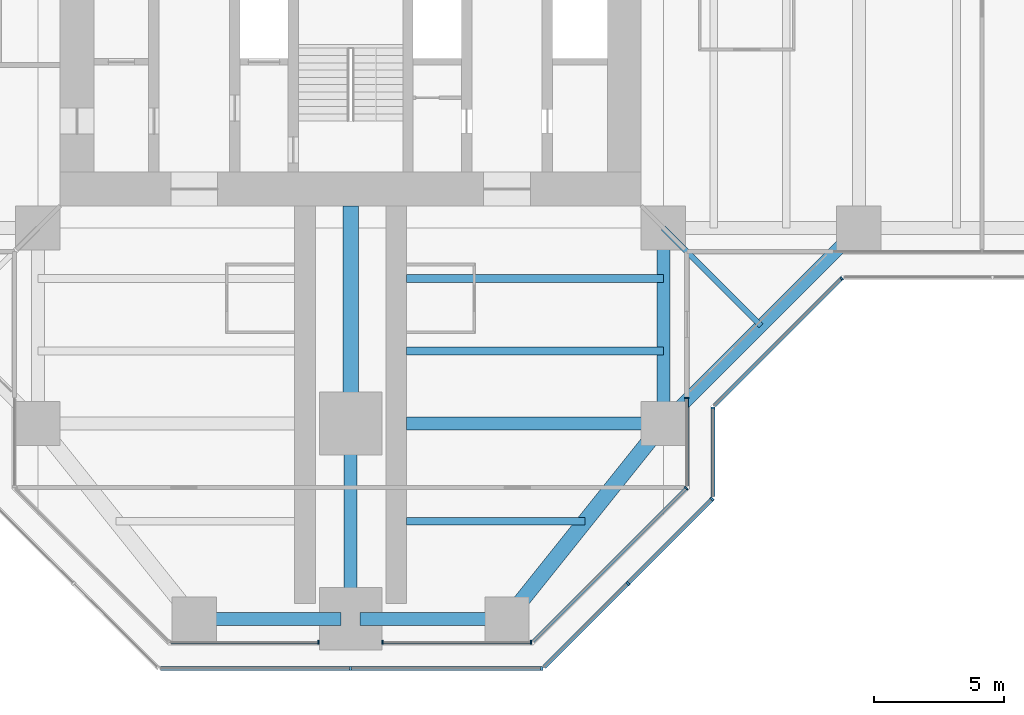
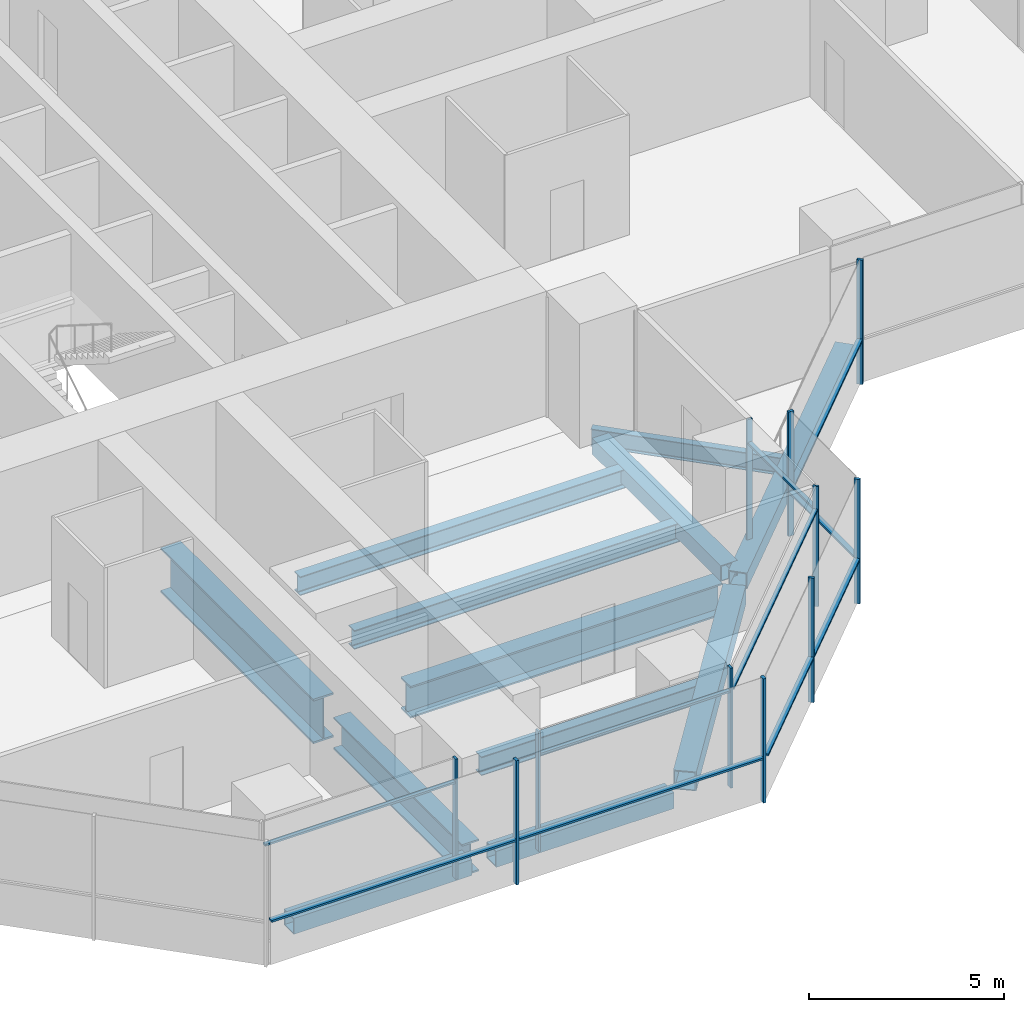
# One storey, part 4 of 20: 21 members, 12 beams, 8 elements without a shape of their own.
"""IFC4 building model written with IfcOpenShell, lengths in metres."""

from ifc_helpers import new_model, si_unit, direction, frame, origin, origin_2d, place, context, subcontext, project, spatial, rectangle, hollow_rectangle, i_section, extrude, material, material_profile, profile_set, type_object, element, aggregate, save


model = new_model("IFC4")

# Units and contexts
model_context = context("Model", 3, precision=1e-05, world=origin(), true_north=direction((0.0, 1.0)))
body_context = subcontext(model_context, "Body", "Model", "MODEL_VIEW")
ifc_project = project(units=[si_unit("LENGTHUNIT", "METRE"), si_unit("AREAUNIT", "SQUARE_METRE"), si_unit("VOLUMEUNIT", "CUBIC_METRE"), si_unit("PLANEANGLEUNIT", "RADIAN"), si_unit("MASSUNIT", "GRAM", prefix="KILO")], contexts=[model_context])

# Site, building, storey
site_placement = place(None, origin())
site = spatial("IfcSite", under=ifc_project, at=site_placement, CompositionType="ELEMENT")
building_placement = place(site_placement, origin())
building = spatial("IfcBuilding", under=site, at=building_placement, Name="Mizan Broadcast Tower", CompositionType="ELEMENT")
storey_placement = place(building_placement, frame((0.0, 0.0, 190.5)))
storey = spatial("IfcBuildingStorey", under=building, at=storey_placement, Name="L44", CompositionType="ELEMENT", Elevation=190.5)

# Beams
ifc_material_1 = material(Name="Steel S355", Category="steel")
ifc_material_profile_1 = material_profile(ifc_material_1, hollow_rectangle(XDim=0.5, YDim=0.5, WallThickness=0.030029296875, at=origin_2d()), Name="BOX 500x500x30")
ifc_profile_set_1 = profile_set([ifc_material_profile_1], Name="Steel S355")
beam_type_1 = type_object("IfcBeamType", Name="EDGE BEAM BOX 500x500x30", PredefinedType="SPANDREL", material=ifc_profile_set_1)
beam_1_placement = place(storey_placement, frame((-5.639892578125, -27.0, -0.3798828125), z_axis=(1.0, 0.0, 0.0), x_axis=(0.0, 1.0, 0.0)))
element("IfcBeam", 1, at=beam_1_placement, inside=storey, type_object=beam_type_1, Name="Edge beam BOX 500x500x30 L44 south arm", PredefinedType="SPANDREL", context=body_context, shape_type="SweptSolid", body=[
    extrude(hollow_rectangle(XDim=0.5, YDim=0.5, WallThickness=0.030029296875, at=origin_2d()), origin(), (0.0, 0.0, 1.0), 5.27978515625),
])
beam_2_placement = place(storey_placement, frame((12.0, -12.449951171875, -0.3798828125), z_axis=(0.0, -1.0, 0.0), x_axis=(1.0, 0.0, 0.0)))
element("IfcBeam", 2, at=beam_2_placement, inside=storey, type_object=beam_type_1, Name="Edge beam BOX 500x500x30 L44 south arm", PredefinedType="SPANDREL", context=body_context, shape_type="SweptSolid", body=[
    extrude(hollow_rectangle(XDim=0.5, YDim=0.5, WallThickness=0.030029296875, at=origin_2d()), origin(), (0.0, 0.0, 1.0), 6.60009765625),
])
beam_3_placement = place(storey_placement, frame((5.639892578125, -27.0, -0.3798828125), z_axis=(-1.0, 0.0, 0.0), x_axis=(0.0, -1.0, 0.0)))
element("IfcBeam", 3, at=beam_3_placement, inside=storey, type_object=beam_type_1, Name="Edge beam BOX 500x500x30 L44 south arm", PredefinedType="SPANDREL", context=body_context, shape_type="SweptSolid", body=[
    extrude(hollow_rectangle(XDim=0.5, YDim=0.5, WallThickness=0.030029296875, at=origin_2d()), origin(), (0.0, 0.0, 1.0), 5.27978515625),
])
beam_4_placement = place(storey_placement, frame((12.0, -19.5, -0.3798828125), z_axis=(0.707106781187, 0.707106781187, 0.0), x_axis=(-0.707106781187, 0.707106781187, 0.0)))
element("IfcBeam", 4, at=beam_4_placement, inside=storey, type_object=beam_type_1, Name="Winter garden edge beam L44 S", PredefinedType="SPANDREL", context=body_context, shape_type="SweptSolid", body=[
    extrude(hollow_rectangle(XDim=0.5, YDim=0.5, WallThickness=0.030029296875, at=origin_2d()), origin(), (0.0, 0.0, 1.0), 10.606689453125),
])
ifc_material_2 = material(Name="Steel S355", Category="steel")
ifc_material_profile_2 = material_profile(ifc_material_2, hollow_rectangle(XDim=0.60009765625, YDim=0.60009765625, WallThickness=0.030029296875, at=origin_2d()), Name="BOX 600x600x30")
ifc_profile_set_2 = profile_set([ifc_material_profile_2], Name="Steel S355")
beam_type_2 = type_object("IfcBeamType", Name="EDGE BEAM BOX 600x600x30", PredefinedType="SPANDREL", material=ifc_profile_set_2)
beam_5_placement = place(storey_placement, frame((11.639892578125, -19.949951171875, -0.429931640625), z_axis=(-0.624673911726, -0.780885717636, 0.0), x_axis=(0.780885717636, -0.624673911726, 0.0)))
element("IfcBeam", 5, at=beam_5_placement, inside=storey, type_object=beam_type_2, Name="Edge beam BOX 600x600x30 L44 south arm", PredefinedType="SPANDREL", context=body_context, shape_type="SweptSolid", body=[
    extrude(hollow_rectangle(XDim=0.60009765625, YDim=0.60009765625, WallThickness=0.030029296875, at=origin_2d()), origin(), (0.0, 0.0, 1.0), 8.4521484375),
])
ifc_material_3 = material(Name="Steel S460", Category="steel")
ifc_material_profile_3 = material_profile(ifc_material_3, i_section(OverallWidth=0.5, OverallDepth=1.0, WebThickness=0.02490234375, FlangeThickness=0.050048828125, at=origin_2d()), Name="WPG 1000x500")
ifc_profile_set_3 = profile_set([ifc_material_profile_3], Name="Steel S460")
beam_type_3 = type_object("IfcBeamType", Name="GIRDER WPG 1000x500", PredefinedType="BEAM", material=ifc_profile_set_3)
beam_6_placement = place(storey_placement, frame((0.0, -19.949951171875, -0.6298828125), z_axis=(0.0, -1.0, 0.0), x_axis=(1.0, 0.0, 0.0)))
element("IfcBeam", 6, at=beam_6_placement, inside=storey, type_object=beam_type_3, Name="Girder WPG 1000x500 L44 south arm", PredefinedType="BEAM", context=body_context, shape_type="SweptSolid", body=[
    extrude(i_section(OverallWidth=0.5, OverallDepth=1.0, WebThickness=0.02490234375, FlangeThickness=0.050048828125, at=origin_2d()), origin(), (0.0, 0.0, 1.0), 6.60009765625),
])
beam_7_placement = place(storey_placement, frame((11.408935546875, -19.5, -0.6298828125), z_axis=(-1.0, 0.0, 0.0), x_axis=(0.0, -1.0, 0.0)))
element("IfcBeam", 7, at=beam_7_placement, inside=storey, type_object=beam_type_3, Name="Girder WPG 1000x500 L44 south arm", PredefinedType="BEAM", context=body_context, shape_type="SweptSolid", body=[
    extrude(i_section(OverallWidth=0.5, OverallDepth=1.0, WebThickness=0.02490234375, FlangeThickness=0.050048828125, at=origin_2d()), origin(), (0.0, 0.0, 1.0), 9.259033203125),
])
ifc_material_4 = material(Name="Steel S460", Category="steel")
ifc_material_profile_4 = material_profile(ifc_material_4, i_section(OverallWidth=0.60009765625, OverallDepth=1.39990234375, WebThickness=0.02490234375, FlangeThickness=0.06005859375, at=origin_2d()), Name="WPG 1400x600")
ifc_profile_set_4 = profile_set([ifc_material_profile_4], Name="Steel S460")
beam_type_4 = type_object("IfcBeamType", Name="GIRDER WPG 1400x600", PredefinedType="BEAM", material=ifc_profile_set_4)
beam_8_placement = place(storey_placement, frame((0.0, -11.14990234375, -0.830078125), z_axis=(0.0, -1.0, 0.0), x_axis=(1.0, 0.0, 0.0)))
element("IfcBeam", 8, at=beam_8_placement, inside=storey, type_object=beam_type_4, Name="Girder WPG 1400x600 L44 south arm", PredefinedType="BEAM", context=body_context, shape_type="SweptSolid", body=[
    extrude(i_section(OverallWidth=0.60009765625, OverallDepth=1.39990234375, WebThickness=0.02490234375, FlangeThickness=0.06005859375, at=origin_2d()), origin(), (0.0, 0.0, 1.0), 7.84912109375),
])

# Curtain wall, member
ifc_material_5 = material(Name="Aluminium framed glazing", Category="aluminium")
curtain_wall_type_1 = type_object("IfcCurtainWallType", Name="INNER SKIN MID ZONE", PredefinedType="USERDEFINED", material=ifc_material_5)
curtain_wall_1_placement = place(storey_placement, origin())
curtain_wall_1 = element("IfcCurtainWall", 9, at=curtain_wall_1_placement, inside=storey, type_object=curtain_wall_type_1, Name="Inner skin mid zone L44 S end", ObjectType="INNER SKIN MID ZONE", PredefinedType="USERDEFINED")
ifc_material_6 = material(Name="Aluminium, pale anodised", Category="aluminium")
ifc_material_profile_5 = material_profile(ifc_material_6, rectangle(XDim=0.159912109375, YDim=0.06005859375, at=origin_2d()), Name="MULLION 160x60")
ifc_profile_set_5 = profile_set([ifc_material_profile_5], Name="Aluminium, pale anodised")
member_type_1 = type_object("IfcMemberType", Name="INNER SKIN MULLION 60x160", PredefinedType="MULLION", material=ifc_profile_set_5)
member_1_placement = place(storey_placement, frame((-1.22998046875, -27.89990234375, 0.0), z_axis=(0.0, 0.0, 1.0), x_axis=(0.0, 1.0, 0.0)))
member_1 = element("IfcMember", 10, at=member_1_placement, type_object=member_type_1, Name="Inner skin mid zone L44 S end mullion 2", PredefinedType="MULLION", context=body_context, shape_type="SweptSolid", body=[
    extrude(rectangle(XDim=0.159912109375, YDim=0.06005859375, at=origin_2d()), origin(), (0.0, 0.0, 1.0), 3.77001953125),
])

# Curtain wall, members
curtain_wall_2_placement = place(storey_placement, origin())
curtain_wall_2 = element("IfcCurtainWall", 11, at=curtain_wall_2_placement, inside=storey, type_object=curtain_wall_type_1, Name="Inner skin mid zone L44 S end", ObjectType="INNER SKIN MID ZONE", PredefinedType="USERDEFINED")
member_2_placement = place(storey_placement, frame((1.22998046875, -27.89990234375, 0.0), z_axis=(0.0, 0.0, 1.0), x_axis=(0.0, 1.0, 0.0)))
member_2 = element("IfcMember", 12, at=member_2_placement, type_object=member_type_1, Name="Inner skin mid zone L44 S end mullion 1", PredefinedType="MULLION", context=body_context, shape_type="SweptSolid", body=[
    extrude(rectangle(XDim=0.159912109375, YDim=0.06005859375, at=origin_2d()), origin(), (0.0, 0.0, 1.0), 3.77001953125),
])
member_3_placement = place(storey_placement, frame((6.928466796875, -27.89990234375, 0.0), z_axis=(0.0, 0.0, 1.0), x_axis=(0.0, 1.0, 0.0)))
member_3 = element("IfcMember", 13, at=member_3_placement, type_object=member_type_1, Name="Inner skin mid zone L44 S end mullion 2", PredefinedType="MULLION", context=body_context, shape_type="SweptSolid", body=[
    extrude(rectangle(XDim=0.159912109375, YDim=0.06005859375, at=origin_2d()), origin(), (0.0, 0.0, 1.0), 3.77001953125),
])

# Curtain wall, member
curtain_wall_3_placement = place(storey_placement, origin())
curtain_wall_3 = element("IfcCurtainWall", 14, at=curtain_wall_3_placement, inside=storey, type_object=curtain_wall_type_1, Name="Inner skin mid zone L44 S chamfer", ObjectType="INNER SKIN MID ZONE", PredefinedType="USERDEFINED")
member_4_placement = place(storey_placement, frame((12.87890625, -21.979736328125, 0.0), z_axis=(0.0, 0.0, 1.0), x_axis=(-0.707106781187, 0.707106781187, 0.0)))
member_4 = element("IfcMember", 15, at=member_4_placement, type_object=member_type_1, Name="Inner skin mid zone L44 S chamfer mullion 2", PredefinedType="MULLION", context=body_context, shape_type="SweptSolid", body=[
    extrude(rectangle(XDim=0.159912109375, YDim=0.06005859375, at=origin_2d()), origin(), (0.0, 0.0, 1.0), 3.77001953125),
])

curtain_wall_4_placement = place(storey_placement, origin())
curtain_wall_4 = element("IfcCurtainWall", 16, at=curtain_wall_4_placement, inside=storey, type_object=curtain_wall_type_1, Name="Inner skin mid zone L44 S side", ObjectType="INNER SKIN MID ZONE", PredefinedType="USERDEFINED")
member_5_placement = place(storey_placement, frame((12.89990234375, -18.530029296875, 0.0), z_axis=(0.0, 0.0, 1.0), x_axis=(-1.0, 0.0, 0.0)))
member_5 = element("IfcMember", 17, at=member_5_placement, type_object=member_type_1, Name="Inner skin mid zone L44 S side mullion 2", PredefinedType="MULLION", context=body_context, shape_type="SweptSolid", body=[
    extrude(rectangle(XDim=0.159912109375, YDim=0.06005859375, at=origin_2d()), origin(), (0.0, 0.0, 1.0), 3.77001953125),
])

# Member
ifc_material_7 = material(Name="Aluminium, pale anodised", Category="aluminium")
ifc_material_profile_6 = material_profile(ifc_material_7, rectangle(XDim=0.1201171875, YDim=0.06005859375, at=origin_2d()), Name="TRANSOM 120x60")
ifc_profile_set_6 = profile_set([ifc_material_profile_6], Name="Aluminium, pale anodised")
member_type_2 = type_object("IfcMemberType", Name="INNER SKIN TRANSOM 60x120", PredefinedType="USERDEFINED", material=ifc_profile_set_6)
member_6_placement = place(storey_placement, frame((-6.898681640625, -27.89990234375, 3.030029296875), z_axis=(1.0, 0.0, 0.0), x_axis=(0.0, 1.0, 0.0)))
member_6 = element("IfcMember", 18, at=member_6_placement, type_object=member_type_2, Name="Inner skin mid zone L44 S end transom 1.1", ObjectType="TRANSOM", PredefinedType="USERDEFINED", context=body_context, shape_type="SweptSolid", body=[
    extrude(rectangle(XDim=0.1201171875, YDim=0.06005859375, at=origin_2d()), origin(), (0.0, 0.0, 1.0), 5.638671875),
])

aggregate(curtain_wall_1, [member_1, member_6])

member_7_placement = place(storey_placement, frame((1.260009765625, -27.89990234375, 3.030029296875), z_axis=(1.0, 0.0, 0.0), x_axis=(0.0, 1.0, 0.0)))
member_7 = element("IfcMember", 19, at=member_7_placement, type_object=member_type_2, Name="Inner skin mid zone L44 S end transom 1.1", ObjectType="TRANSOM", PredefinedType="USERDEFINED", context=body_context, shape_type="SweptSolid", body=[
    extrude(rectangle(XDim=0.1201171875, YDim=0.06005859375, at=origin_2d()), origin(), (0.0, 0.0, 1.0), 5.638671875),
])

aggregate(curtain_wall_2, [member_2, member_3, member_7])

member_8_placement = place(storey_placement, frame((7.0009765625, -27.857666015625, 3.030029296875), z_axis=(0.707106781187, 0.707106781187, 0.0), x_axis=(-0.707106781187, 0.707106781187, 0.0)))
member_8 = element("IfcMember", 20, at=member_8_placement, type_object=member_type_2, Name="Inner skin mid zone L44 S chamfer transom 1.1", ObjectType="TRANSOM", PredefinedType="USERDEFINED", context=body_context, shape_type="SweptSolid", body=[
    extrude(rectangle(XDim=0.1201171875, YDim=0.06005859375, at=origin_2d()), origin(), (0.0, 0.0, 1.0), 8.28271484375),
])

aggregate(curtain_wall_3, [member_4, member_8])

member_9_placement = place(storey_placement, frame((12.89990234375, -21.898681640625, 3.030029296875), z_axis=(0.0, 1.0, 0.0), x_axis=(-1.0, 0.0, 0.0)))
member_9 = element("IfcMember", 21, at=member_9_placement, type_object=member_type_2, Name="Inner skin mid zone L44 S side transom 1.1", ObjectType="TRANSOM", PredefinedType="USERDEFINED", context=body_context, shape_type="SweptSolid", body=[
    extrude(rectangle(XDim=0.1201171875, YDim=0.06005859375, at=origin_2d()), origin(), (0.0, 0.0, 1.0), 3.338623046875),
])

aggregate(curtain_wall_4, [member_5, member_9])

# Curtain wall, members
ifc_material_8 = material(Name="Aluminium framed glazing", Category="aluminium")
curtain_wall_type_2 = type_object("IfcCurtainWallType", Name="OUTER SKIN", PredefinedType="USERDEFINED", material=ifc_material_8)
curtain_wall_5_placement = place(storey_placement, origin())
curtain_wall_5 = element("IfcCurtainWall", 22, at=curtain_wall_5_placement, inside=storey, type_object=curtain_wall_type_2, Name="Outer skin L44 S end", ObjectType="OUTER SKIN", PredefinedType="USERDEFINED")
ifc_material_9 = material(Name="Aluminium, pale anodised", Category="aluminium")
ifc_material_profile_7 = material_profile(ifc_material_9, rectangle(XDim=0.159912109375, YDim=0.080078125, at=origin_2d()), Name="MULLION 160x80")
ifc_profile_set_7 = profile_set([ifc_material_profile_7], Name="Aluminium, pale anodised")
member_type_3 = type_object("IfcMemberType", Name="OUTER SKIN MULLION 80x160", PredefinedType="MULLION", material=ifc_profile_set_7)
member_10_placement = place(storey_placement, frame((0.0, -28.89990234375, 0.0), z_axis=(0.0, 0.0, 1.0), x_axis=(0.0, 1.0, 0.0)))
member_10 = element("IfcMember", 23, at=member_10_placement, type_object=member_type_3, Name="Outer skin L44 S end mullion 2", PredefinedType="MULLION", context=body_context, shape_type="SweptSolid", body=[
    extrude(rectangle(XDim=0.159912109375, YDim=0.080078125, at=origin_2d()), origin(), (0.0, 0.0, 1.0), 3.89990234375),
])
member_11_placement = place(storey_placement, frame((7.332763671875, -28.89990234375, 0.0), z_axis=(0.0, 0.0, 1.0), x_axis=(0.0, 1.0, 0.0)))
member_11 = element("IfcMember", 24, at=member_11_placement, type_object=member_type_3, Name="Outer skin L44 S end mullion 3", PredefinedType="MULLION", context=body_context, shape_type="SweptSolid", body=[
    extrude(rectangle(XDim=0.159912109375, YDim=0.080078125, at=origin_2d()), origin(), (0.0, 0.0, 1.0), 3.89990234375),
])

curtain_wall_6_placement = place(storey_placement, origin())
curtain_wall_6 = element("IfcCurtainWall", 25, at=curtain_wall_6_placement, inside=storey, type_object=curtain_wall_type_2, Name="Outer skin L44 S chamfer", ObjectType="OUTER SKIN", PredefinedType="USERDEFINED")
member_12_placement = place(storey_placement, frame((10.636474609375, -25.636474609375, 0.0), z_axis=(0.0, 0.0, 1.0), x_axis=(-0.707106781187, 0.707106781187, 0.0)))
member_12 = element("IfcMember", 26, at=member_12_placement, type_object=member_type_3, Name="Outer skin L44 S chamfer mullion 2", PredefinedType="MULLION", context=body_context, shape_type="SweptSolid", body=[
    extrude(rectangle(XDim=0.159912109375, YDim=0.080078125, at=origin_2d()), origin(), (0.0, 0.0, 1.0), 3.89990234375),
])
member_13_placement = place(storey_placement, frame((13.871826171875, -22.401123046875, 0.0), z_axis=(0.0, 0.0, 1.0), x_axis=(-0.707106781187, 0.707106781187, 0.0)))
member_13 = element("IfcMember", 27, at=member_13_placement, type_object=member_type_3, Name="Outer skin L44 S chamfer mullion 3", PredefinedType="MULLION", context=body_context, shape_type="SweptSolid", body=[
    extrude(rectangle(XDim=0.159912109375, YDim=0.080078125, at=origin_2d()), origin(), (0.0, 0.0, 1.0), 3.89990234375),
])

# Curtain wall, member
curtain_wall_7_placement = place(storey_placement, origin())
curtain_wall_7 = element("IfcCurtainWall", 28, at=curtain_wall_7_placement, inside=storey, type_object=curtain_wall_type_2, Name="Outer skin L44 S side", ObjectType="OUTER SKIN", PredefinedType="USERDEFINED")
member_14_placement = place(storey_placement, frame((13.89990234375, -18.912841796875, 0.0), z_axis=(0.0, 0.0, 1.0), x_axis=(-1.0, 0.0, 0.0)))
member_14 = element("IfcMember", 29, at=member_14_placement, type_object=member_type_3, Name="Outer skin L44 S side mullion 2", PredefinedType="MULLION", context=body_context, shape_type="SweptSolid", body=[
    extrude(rectangle(XDim=0.159912109375, YDim=0.080078125, at=origin_2d()), origin(), (0.0, 0.0, 1.0), 3.89990234375),
])

curtain_wall_8_placement = place(storey_placement, origin())
curtain_wall_8 = element("IfcCurtainWall", 30, at=curtain_wall_8_placement, inside=storey, type_object=curtain_wall_type_2, Name="Outer skin L44 E chamfer", ObjectType="OUTER SKIN", PredefinedType="USERDEFINED")
member_15_placement = place(storey_placement, frame((18.844482421875, -13.92822265625, 0.0), z_axis=(0.0, 0.0, 1.0), x_axis=(-0.707106781187, 0.707106781187, 0.0)))
member_15 = element("IfcMember", 31, at=member_15_placement, type_object=member_type_3, Name="Outer skin L44 E chamfer mullion 2", PredefinedType="MULLION", context=body_context, shape_type="SweptSolid", body=[
    extrude(rectangle(XDim=0.159912109375, YDim=0.080078125, at=origin_2d()), origin(), (0.0, 0.0, 1.0), 3.89990234375),
])

# Member
ifc_material_10 = material(Name="Aluminium, pale anodised", Category="aluminium")
ifc_material_profile_8 = material_profile(ifc_material_10, rectangle(XDim=0.159912109375, YDim=0.06005859375, at=origin_2d()), Name="TRANSOM 160x60")
ifc_profile_set_8 = profile_set([ifc_material_profile_8], Name="Aluminium, pale anodised")
member_type_4 = type_object("IfcMemberType", Name="OUTER SKIN TRANSOM 60x160", PredefinedType="USERDEFINED", material=ifc_profile_set_8)
member_16_placement = place(storey_placement, frame((-7.292724609375, -28.89990234375, 1.39990234375), z_axis=(1.0, 0.0, 0.0), x_axis=(0.0, 1.0, 0.0)))
member_16 = element("IfcMember", 32, at=member_16_placement, type_object=member_type_4, Name="Outer skin L44 S end transom 1.1", ObjectType="TRANSOM", PredefinedType="USERDEFINED", context=body_context, shape_type="SweptSolid", body=[
    extrude(rectangle(XDim=0.159912109375, YDim=0.06005859375, at=origin_2d()), origin(), (0.0, 0.0, 1.0), 7.252685546875),
])

member_17_placement = place(storey_placement, frame((0.0400390625, -28.89990234375, 1.39990234375), z_axis=(1.0, 0.0, 0.0), x_axis=(0.0, 1.0, 0.0)))
member_17 = element("IfcMember", 33, at=member_17_placement, type_object=member_type_4, Name="Outer skin L44 S end transom 2.1", ObjectType="TRANSOM", PredefinedType="USERDEFINED", context=body_context, shape_type="SweptSolid", body=[
    extrude(rectangle(XDim=0.159912109375, YDim=0.06005859375, at=origin_2d()), origin(), (0.0, 0.0, 1.0), 7.252685546875),
])

aggregate(curtain_wall_5, [member_10, member_11, member_16, member_17])

member_18_placement = place(storey_placement, frame((7.429443359375, -28.843505859375, 1.39990234375), z_axis=(0.707106781187, 0.707106781187, 0.0), x_axis=(-0.707106781187, 0.707106781187, 0.0)))
member_18 = element("IfcMember", 34, at=member_18_placement, type_object=member_type_4, Name="Outer skin L44 S chamfer transom 1.1", ObjectType="TRANSOM", PredefinedType="USERDEFINED", context=body_context, shape_type="SweptSolid", body=[
    extrude(rectangle(XDim=0.159912109375, YDim=0.06005859375, at=origin_2d()), origin(), (0.0, 0.0, 1.0), 4.495361328125),
])

member_19_placement = place(storey_placement, frame((10.664794921875, -25.608154296875, 1.39990234375), z_axis=(0.707106781187, 0.707106781187, 0.0), x_axis=(-0.707106781187, 0.707106781187, 0.0)))
member_19 = element("IfcMember", 35, at=member_19_placement, type_object=member_type_4, Name="Outer skin L44 S chamfer transom 2.1", ObjectType="TRANSOM", PredefinedType="USERDEFINED", context=body_context, shape_type="SweptSolid", body=[
    extrude(rectangle(XDim=0.159912109375, YDim=0.06005859375, at=origin_2d()), origin(), (0.0, 0.0, 1.0), 4.495361328125),
])

aggregate(curtain_wall_6, [member_12, member_13, member_18, member_19])

member_20_placement = place(storey_placement, frame((13.89990234375, -22.292724609375, 1.39990234375), z_axis=(0.0, 1.0, 0.0), x_axis=(-1.0, 0.0, 0.0)))
member_20 = element("IfcMember", 36, at=member_20_placement, type_object=member_type_4, Name="Outer skin L44 S side transom 1.1", ObjectType="TRANSOM", PredefinedType="USERDEFINED", context=body_context, shape_type="SweptSolid", body=[
    extrude(rectangle(XDim=0.159912109375, YDim=0.06005859375, at=origin_2d()), origin(), (0.0, 0.0, 1.0), 3.33984375),
])

aggregate(curtain_wall_7, [member_14, member_20])

member_21_placement = place(storey_placement, frame((13.95654296875, -18.816162109375, 1.39990234375), z_axis=(0.707106781187, 0.707106781187, 0.0), x_axis=(-0.707106781187, 0.707106781187, 0.0)))
member_21 = element("IfcMember", 37, at=member_21_placement, type_object=member_type_4, Name="Outer skin L44 E chamfer transom 1.1", ObjectType="TRANSOM", PredefinedType="USERDEFINED", context=body_context, shape_type="SweptSolid", body=[
    extrude(rectangle(XDim=0.159912109375, YDim=0.06005859375, at=origin_2d()), origin(), (0.0, 0.0, 1.0), 6.87255859375),
])

aggregate(curtain_wall_8, [member_15, member_21])

# Beams
ifc_material_11 = material(Name="Steel S355", Category="steel")
ifc_material_profile_9 = material_profile(ifc_material_11, i_section(OverallWidth=0.300048828125, OverallDepth=0.590087890625, WebThickness=0.012939453125, FlangeThickness=0.02490234375, FilletRadius=0.027099609375, at=origin_2d()), Name="HEA 600")
ifc_profile_set_9 = profile_set([ifc_material_profile_9], Name="Steel S355")
beam_type_5 = type_object("IfcBeamType", Name="SECONDARY BEAM HEA 600", PredefinedType="JOIST", material=ifc_profile_set_9)
for number, where, z_axis, x_axis, name in (
    (38, (12.0, -13.933349609375, -0.425048828125), (-1.0, 0.0, 0.0), (0.0, -1.0, 0.0), "Secondary beam HEA 600 L44 south arm"),
    (39, (12.0, -16.716552734375, -0.425048828125), (-1.0, 0.0, 0.0), (0.0, -1.0, 0.0), "Secondary beam HEA 600 L44 south arm"),
):
    element("IfcBeam", number, at=place(storey_placement, frame(where, z_axis=z_axis, x_axis=x_axis)), inside=storey, type_object=beam_type_5, Name=name, PredefinedType="JOIST", context=body_context, shape_type="SweptSolid", body=[
        extrude(i_section(OverallWidth=0.300048828125, OverallDepth=0.590087890625, WebThickness=0.012939453125, FlangeThickness=0.02490234375, FilletRadius=0.027099609375, at=origin_2d()), origin(), (0.0, 0.0, 1.0), 9.85009765625),
    ])
beam_9_placement = place(storey_placement, frame((9.0, -23.25, -0.425048828125), z_axis=(-1.0, 0.0, 0.0), x_axis=(0.0, -1.0, 0.0)))
element("IfcBeam", 40, at=beam_9_placement, inside=storey, type_object=beam_type_5, Name="Secondary beam HEA 600 L44 south arm", PredefinedType="JOIST", context=body_context, shape_type="SweptSolid", body=[
    extrude(i_section(OverallWidth=0.300048828125, OverallDepth=0.590087890625, WebThickness=0.012939453125, FlangeThickness=0.02490234375, FilletRadius=0.027099609375, at=origin_2d()), origin(), (0.0, 0.0, 1.0), 6.85009765625),
])
ifc_material_12 = material(Name="Steel S355", Category="steel")
ifc_material_profile_10 = material_profile(ifc_material_12, i_section(OverallWidth=0.2099609375, OverallDepth=0.550048828125, WebThickness=0.010986328125, FlangeThickness=0.01708984375, FilletRadius=0.02392578125, at=origin_2d()), Name="IPE 550")
ifc_profile_set_10 = profile_set([ifc_material_profile_10], Name="Steel S355")
beam_type_6 = type_object("IfcBeamType", Name="SECONDARY BEAM IPE 550", PredefinedType="JOIST", material=ifc_profile_set_10)
beam_10_placement = place(storey_placement, frame((12.0, -12.0, -0.405029296875), z_axis=(0.707106781187, -0.707106781187, 0.0), x_axis=(0.707106781187, 0.707106781187, 0.0)))
element("IfcBeam", 41, at=beam_10_placement, inside=storey, type_object=beam_type_6, Name="Winter garden beam L44 S", PredefinedType="JOIST", context=body_context, shape_type="SweptSolid", body=[
    extrude(i_section(OverallWidth=0.2099609375, OverallDepth=0.550048828125, WebThickness=0.010986328125, FlangeThickness=0.01708984375, FilletRadius=0.02392578125, at=origin_2d()), origin(), (0.0, 0.0, 1.0), 5.30322265625),
])

save(model, "model.ifc")
